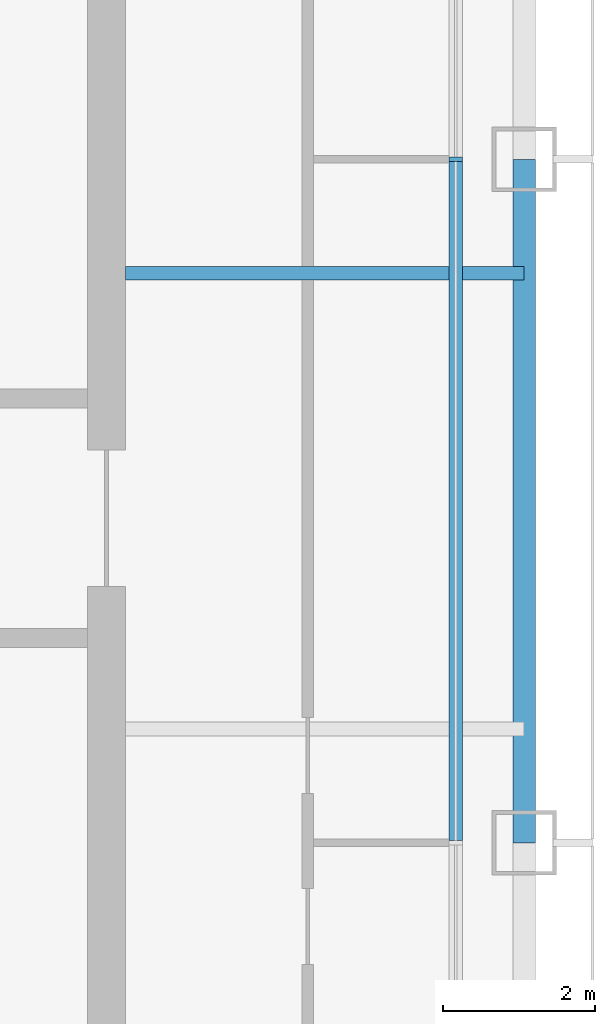
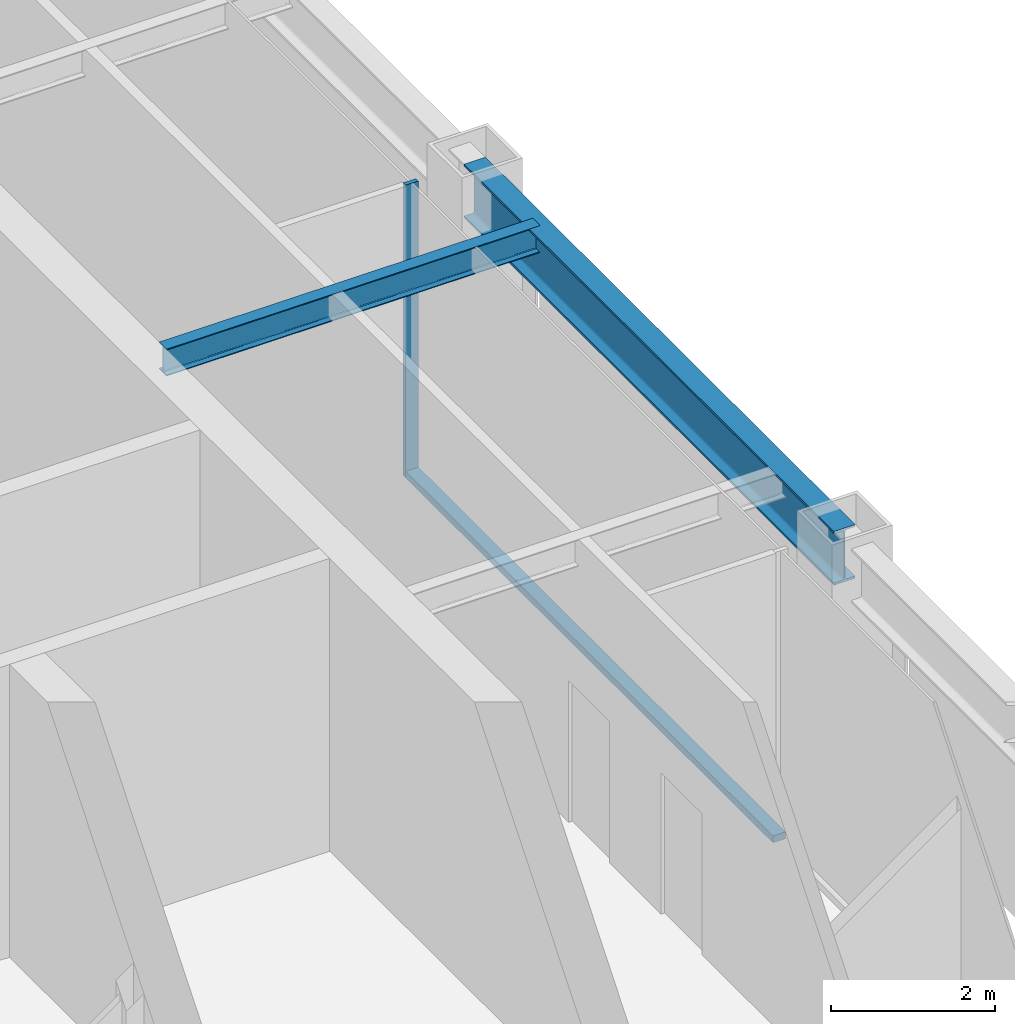
# One storey, part 5 of 24: 2 beams, 2 members, 1 element without a shape of its own.
"""IFC4 building model written with IfcOpenShell, lengths in metres."""

from ifc_helpers import new_model, si_unit, direction, frame, origin, origin_2d, place, context, subcontext, project, spatial, rectangle, i_section, extrude, material, layer, layer_set, material_profile, profile_set, type_object, element, aggregate, save


model = new_model("IFC4")

# Units and contexts
model_context = context("Model", 3, precision=1e-05, world=origin(), true_north=direction((0.0, 1.0)))
body_context = subcontext(model_context, "Body", "Model", "MODEL_VIEW")
ifc_project = project(units=[si_unit("LENGTHUNIT", "METRE"), si_unit("AREAUNIT", "SQUARE_METRE"), si_unit("VOLUMEUNIT", "CUBIC_METRE"), si_unit("PLANEANGLEUNIT", "RADIAN"), si_unit("MASSUNIT", "GRAM", prefix="KILO")], contexts=[model_context])

# Site, building, storey
site_placement = place(None, origin())
site = spatial("IfcSite", under=ifc_project, at=site_placement, CompositionType="ELEMENT")
building_placement = place(site_placement, origin())
building = spatial("IfcBuilding", under=site, at=building_placement, Name="Siwar Civic Tower", CompositionType="ELEMENT")
storey_placement = place(building_placement, frame((0.0, 0.0, 215.199951171875)))
storey = spatial("IfcBuildingStorey", under=building, at=storey_placement, Name="L46", CompositionType="ELEMENT", Elevation=215.199951171875)

# Curtain wall, members
ifc_material_1 = material(Name="Aluminium and glass", Category="aluminium")
ifc_layer = layer(ifc_material_1, 0.179931640625)
ifc_layer_set = layer_set([ifc_layer], Name="Aluminium and glass")
curtain_wall_type = type_object("IfcCurtainWallType", Name="ENV-CW-C", PredefinedType="NOTDEFINED", material=ifc_layer_set)
curtain_wall_placement = place(storey_placement, origin())
curtain_wall = element("IfcCurtainWall", 1, at=curtain_wall_placement, inside=storey, type_object=curtain_wall_type, Name="Curtain wall C E", PredefinedType="NOTDEFINED")
ifc_material_2 = material(Name="Aluminium 6063-T6", Category="aluminium")
ifc_material_profile_1 = material_profile(ifc_material_2, rectangle(XDim=0.179931640625, YDim=0.06005859375, at=origin_2d()), Name="AL 180x60")
ifc_profile_set_1 = profile_set([ifc_material_profile_1], Name="Aluminium 6063-T6")
member_type_1 = type_object("IfcMemberType", Name="ENV-MULLION-C", PredefinedType="MULLION", material=ifc_profile_set_1)
member_1_placement = place(storey_placement, frame((26.10009765625, 0.0, 0.0), z_axis=(0.0, 0.0, 1.0), x_axis=(-1.0, 0.0, 0.0)))
member_1 = element("IfcMember", 2, at=member_1_placement, type_object=member_type_1, Name="Mullion C E 3", PredefinedType="MULLION", context=body_context, shape_type="SweptSolid", body=[
    extrude(rectangle(XDim=0.179931640625, YDim=0.06005859375, at=origin_2d()), origin(), (0.0, 0.0, 1.0), 4.35009765625),
])
ifc_material_3 = material(Name="Aluminium 6063-T6", Category="aluminium")
ifc_material_profile_2 = material_profile(ifc_material_3, rectangle(XDim=0.179931640625, YDim=0.10009765625, at=origin_2d()), Name="AL 180x100")
ifc_profile_set_2 = profile_set([ifc_material_profile_2], Name="Aluminium 6063-T6")
member_type_2 = type_object("IfcMemberType", Name="ENV-TRANSOM-C", PredefinedType="USERDEFINED", material=ifc_profile_set_2)
member_2_placement = place(storey_placement, frame((26.10009765625, -8.969970703125, 0.050048828125), z_axis=(0.0, 1.0, 0.0), x_axis=(-1.0, 0.0, 0.0)))
member_2 = element("IfcMember", 3, at=member_2_placement, type_object=member_type_2, Name="Transom C E 2", ObjectType="TRANSOM", PredefinedType="USERDEFINED", context=body_context, shape_type="SweptSolid", body=[
    extrude(rectangle(XDim=0.179931640625, YDim=0.10009765625, at=origin_2d()), origin(), (0.0, 0.0, 1.0), 8.93994140625),
])
aggregate(curtain_wall, [member_1, member_2])

# Beams
ifc_material_4 = material(Name="Steel S355", Category="steel")
ifc_material_profile_3 = material_profile(ifc_material_4, i_section(OverallWidth=0.179931640625, OverallDepth=0.39990234375, WebThickness=0.008544921875, FlangeThickness=0.013427734375, FilletRadius=0.02099609375, at=origin_2d()), Name="IPE400")
ifc_profile_set_3 = profile_set([ifc_material_profile_3], Name="Steel S355")
beam_type_1 = type_object("IfcBeamType", Name="STR-FB-IPE400", PredefinedType="JOIST", material=ifc_profile_set_3)
beam_1_placement = place(storey_placement, frame((21.75, -1.5, 4.150146484375), z_axis=(1.0, 0.0, 0.0), x_axis=(0.0, 1.0, 0.0)))
element("IfcBeam", 4, at=beam_1_placement, inside=storey, type_object=beam_type_1, Name="L46/bm/F024", PredefinedType="JOIST", context=body_context, shape_type="SweptSolid", body=[
    extrude(i_section(OverallWidth=0.179931640625, OverallDepth=0.39990234375, WebThickness=0.008544921875, FlangeThickness=0.013427734375, FilletRadius=0.02099609375, at=origin_2d()), origin(), (0.0, 0.0, 1.0), 5.25),
])
ifc_material_5 = material(Name="Steel S355", Category="steel")
ifc_material_profile_4 = material_profile(ifc_material_5, i_section(OverallWidth=0.300048828125, OverallDepth=0.800048828125, WebThickness=0.017578125, FlangeThickness=0.032958984375, FilletRadius=0.030029296875, at=origin_2d()), Name="HEB800")
ifc_profile_set_4 = profile_set([ifc_material_profile_4], Name="Steel S355")
beam_type_2 = type_object("IfcBeamType", Name="STR-SB-HEB800", PredefinedType="BEAM", material=ifc_profile_set_4)
beam_2_placement = place(storey_placement, frame((27.0, -9.0, 3.949951171875), z_axis=(0.0, 1.0, 0.0), x_axis=(-1.0, 0.0, 0.0)))
element("IfcBeam", 5, at=beam_2_placement, inside=storey, type_object=beam_type_2, Name="L46/bm/SE-1", PredefinedType="BEAM", context=body_context, shape_type="SweptSolid", body=[
    extrude(i_section(OverallWidth=0.300048828125, OverallDepth=0.800048828125, WebThickness=0.017578125, FlangeThickness=0.032958984375, FilletRadius=0.030029296875, at=origin_2d()), origin(), (0.0, 0.0, 1.0), 9.0),
])

save(model, "model.ifc")
